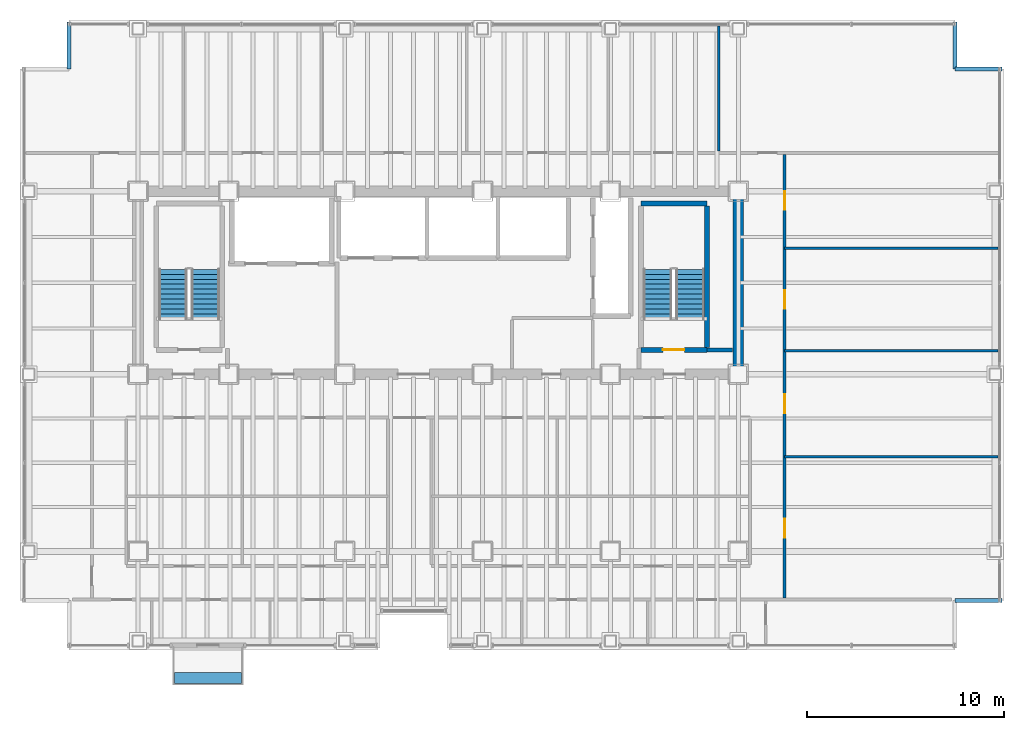
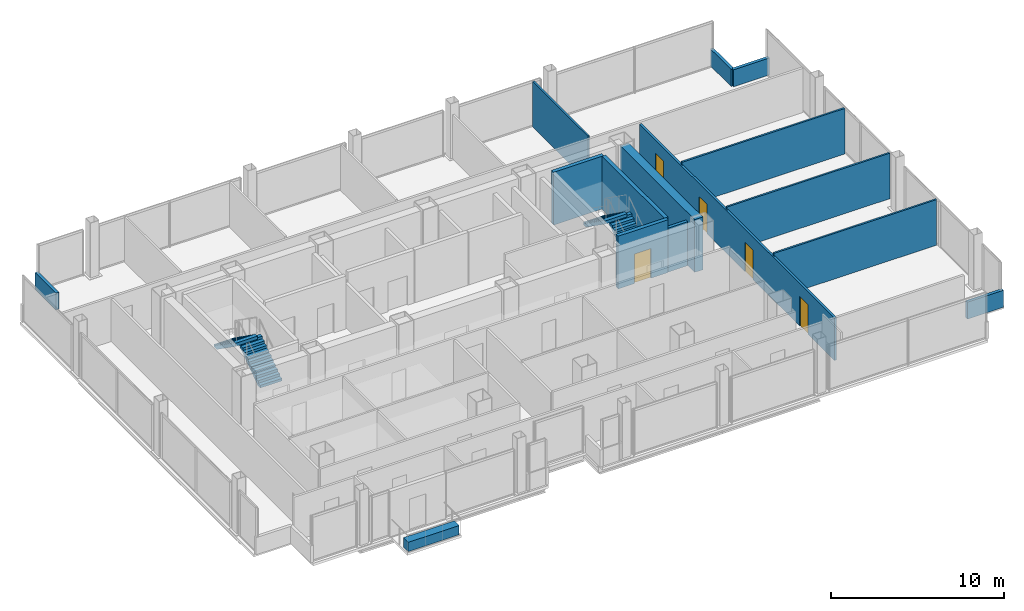
# One storey, part 19 of 20: 14 walls, 5 doors, 4 stair flights, 1 discrete accessory, 5 openings, 2 elements without a shape of their own.
"""IFC4 building model written with IfcOpenShell, lengths in metres."""

from ifc_helpers import new_model, si_unit, direction, frame, frame_2d, origin, origin_2d, place, context, subcontext, project, spatial, polyline, rectangle, outline, extrude, material, layer, layer_set, type_object, element, fill, aggregate, save


model = new_model("IFC4")

# Units and contexts
model_context = context("Model", 3, precision=1e-05, world=origin(), true_north=direction((0.0, 1.0)))
body_context = subcontext(model_context, "Body", "Model", "MODEL_VIEW")
ifc_project = project(units=[si_unit("LENGTHUNIT", "METRE"), si_unit("AREAUNIT", "SQUARE_METRE"), si_unit("VOLUMEUNIT", "CUBIC_METRE"), si_unit("PLANEANGLEUNIT", "RADIAN"), si_unit("MASSUNIT", "GRAM", prefix="KILO")], contexts=[model_context])

# Site, building, storey
site_placement = place(None, origin())
site = spatial("IfcSite", under=ifc_project, at=site_placement, CompositionType="ELEMENT")
building_placement = place(site_placement, origin())
building = spatial("IfcBuilding", under=site, at=building_placement, Name="Noeulbin Bourse Tower", CompositionType="ELEMENT")
storey_placement = place(building_placement, frame((0.0, 0.0, 73.300048828125)))
storey = spatial("IfcBuildingStorey", under=building, at=storey_placement, Name="L18", CompositionType="ELEMENT", Elevation=73.300048828125)

# Walls
ifc_material_1 = material(Name="Concrete C60/75", Category="concrete")
ifc_layer_1 = layer(ifc_material_1, 0.550048828125)
ifc_layer_set_1 = layer_set([ifc_layer_1], Name="Concrete C60/75")
wall_type_1 = type_object("IfcWallType", Name="WAL-CORE-550", PredefinedType="SHEAR", material=ifc_layer_set_1)
wall_1_placement = place(storey_placement, frame((44.0, 29.35009765625, 0.0), z_axis=(0.0, 0.0, 1.0), x_axis=(0.0, 1.0, 0.0)))
element("IfcWall", 1, at=wall_1_placement, inside=storey, type_object=wall_type_1, Name="Rear Core East Shear Wall L18", PredefinedType="SHEAR", context=body_context, shape_type="SweptSolid", body=[
    extrude(rectangle(XDim=8.599853515625, YDim=0.550048828125, at=frame_2d((4.2998046875, 0.0))), origin(), (0.0, 0.0, 1.0), 3.719970703125),
])
ifc_material_2 = material(Name="Concrete C40/50", Category="concrete")
ifc_layer_2 = layer(ifc_material_2, 0.199951171875)
ifc_layer_set_2 = layer_set([ifc_layer_2], Name="Concrete C40/50")
wall_type_2 = type_object("IfcWallType", Name="WAL-FIRE-200", PredefinedType="STANDARD", material=ifc_layer_set_2)
wall_2_placement = place(storey_placement, frame((42.39990234375, 30.239990234375, 0.0), z_axis=(0.0, 0.0, 1.0), x_axis=(1.0, 0.0, 0.0)))
element("IfcWall", 2, at=wall_2_placement, inside=storey, type_object=wall_type_2, Name="Interior Partition Wall L18-01", PredefinedType="STANDARD", context=body_context, shape_type="SweptSolid", body=[
    extrude(rectangle(XDim=1.315185546875, YDim=0.199951171875, at=frame_2d((0.65771484375, 0.0))), origin(), (0.0, 0.0, 1.0), 3.099853515625),
])
ifc_layer_3 = layer(ifc_material_2, 0.199951171875)
ifc_layer_set_3 = layer_set([ifc_layer_3], Name="Concrete C40/50")
wall_type_3 = type_object("IfcWallType", Name="WAL-PAR-200", PredefinedType="PARAPET", material=ifc_layer_set_3)
for number, where, z_axis, x_axis, name in (
    (3, (55.0, 17.5, 0.0), (0.0, 0.0, 1.0), (1.0, 0.0, 0.0), "Corner Notch Parapet L18-SE2"),
    (4, (10.0, 44.5, 0.0), (0.0, 0.0, 1.0), (0.0, 1.0, 0.0), "Corner Notch Parapet L18-NW2"),
    (5, (55.0, 46.89990234375, 0.0), (0.0, 0.0, 1.0), (0.0, -1.0, 0.0), "Corner Notch Parapet L18-NE1"),
    (6, (55.0, 44.5, 0.0), (0.0, 0.0, 1.0), (1.0, 0.0, 0.0), "Corner Notch Parapet L18-NE2"),
):
    element("IfcWall", number, at=place(storey_placement, frame(where, z_axis=z_axis, x_axis=x_axis)), inside=storey, type_object=wall_type_3, Name=name, PredefinedType="PARAPET", context=body_context, shape_type="SweptSolid", body=[
        extrude(rectangle(XDim=2.39990234375, YDim=0.199951171875, at=frame_2d((1.199951171875, 0.0))), origin(), (0.0, 0.0, 1.0), 1.199951171875),
    ])
ifc_material_3 = material(Name="Steel Stud Gypsum Partition", Category="steel")
ifc_layer_4 = layer(ifc_material_3, 0.1201171875)
ifc_layer_set_4 = layer_set([ifc_layer_4], Name="Steel Stud Gypsum Partition")
wall_type_4 = type_object("IfcWallType", Name="WAL-PRT-120", PredefinedType="PARTITIONING", material=ifc_layer_set_4)
for number, where, z_axis, x_axis, name in (
    (7, (46.35009765625, 24.800048828125, 0.0), (0.0, 0.0, 1.0), (1.0, 0.0, 0.0), "Interior Partition Wall L18-11"),
    (8, (46.35009765625, 30.199951171875, 0.0), (0.0, 0.0, 1.0), (1.0, 0.0, 0.0), "Interior Partition Wall L18-12"),
    (9, (46.35009765625, 35.39990234375, 0.0), (0.0, 0.0, 1.0), (1.0, 0.0, 0.0), "Interior Partition Wall L18-13"),
):
    element("IfcWall", number, at=place(storey_placement, frame(where, z_axis=z_axis, x_axis=x_axis)), inside=storey, type_object=wall_type_4, Name=name, PredefinedType="PARTITIONING", context=body_context, shape_type="SweptSolid", body=[
        extrude(rectangle(XDim=10.83984375, YDim=0.1201171875, at=frame_2d((5.419921875, 0.0))), origin(), (0.0, 0.0, 1.0), 3.2119140625),
    ])
wall_3_placement = place(storey_placement, frame((43.0, 40.3349609375, 0.0), z_axis=(0.0, 0.0, 1.0), x_axis=(0.0, 1.0, 0.0)))
element("IfcWall", 10, at=wall_3_placement, inside=storey, type_object=wall_type_4, Name="Interior Partition Wall L18-37", PredefinedType="PARTITIONING", context=body_context, shape_type="SweptSolid", body=[
    extrude(rectangle(XDim=6.35498046875, YDim=0.1201171875, at=frame_2d((3.177490234375, 0.0))), origin(), (0.0, 0.0, 1.0), 3.2119140625),
])

# Wall, openings, doors
ifc_material_4 = material(Name="Steel Stud Acoustic Gypsum Board", Category="steel")
ifc_layer_5 = layer(ifc_material_4, 0.14990234375)
ifc_layer_set_5 = layer_set([ifc_layer_5], Name="Steel Stud Acoustic Gypsum Board")
wall_type_5 = type_object("IfcWallType", Name="WAL-PRT-150", PredefinedType="PARTITIONING", material=ifc_layer_set_5)
wall_4_placement = place(storey_placement, frame((46.35009765625, 17.635009765625, 0.0), z_axis=(0.0, 0.0, 1.0), x_axis=(0.0, 1.0, 0.0)))
wall_4 = element("IfcWall", 11, at=wall_4_placement, inside=storey, type_object=wall_type_5, Name="Interior Partition Wall L18-24", PredefinedType="PARTITIONING", context=body_context, shape_type="SweptSolid", body=[
    extrude(rectangle(XDim=22.530029296875, YDim=0.14990234375, at=frame_2d((11.26513671875, 0.0))), origin(), (0.0, 0.0, 1.0), 3.0),
])
opening_1_placement = place(wall_4_placement, frame((3.06494140625, 0.0, 0.0)))
opening_1 = element("IfcOpeningElement", 12, at=opening_1_placement, cuts=wall_4, Name="Opening ID-09", PredefinedType="OPENING", context=body_context, shape_type="SweptSolid", body=[
    extrude(rectangle(XDim=0.949951171875, YDim=2.080078125, at=frame_2d((0.47509765625, 1.0400390625))), frame((0.0, 0.0849609375, 0.0), z_axis=(0.0, -1.0, 0.0), x_axis=(1.0, 0.0, 0.0)), (0.0, 0.0, 1.0), 0.169921875),
])
opening_2_placement = place(wall_4_placement, frame((9.389892578125, 0.0, 0.0)))
opening_2 = element("IfcOpeningElement", 13, at=opening_2_placement, cuts=wall_4, Name="Opening ID-09", PredefinedType="OPENING", context=body_context, shape_type="SweptSolid", body=[
    extrude(rectangle(XDim=0.949951171875, YDim=2.080078125, at=frame_2d((0.47509765625, 1.0400390625))), frame((0.0, 0.0849609375, 0.0), z_axis=(0.0, -1.0, 0.0), x_axis=(1.0, 0.0, 0.0)), (0.0, 0.0, 1.0), 0.169921875),
])
opening_3_placement = place(wall_4_placement, frame((14.68994140625, 0.0, 0.0)))
opening_3 = element("IfcOpeningElement", 14, at=opening_3_placement, cuts=wall_4, Name="Opening ID-09", PredefinedType="OPENING", context=body_context, shape_type="SweptSolid", body=[
    extrude(rectangle(XDim=0.949951171875, YDim=2.080078125, at=frame_2d((0.47509765625, 1.0400390625))), frame((0.0, 0.0849609375, 0.0), z_axis=(0.0, -1.0, 0.0), x_axis=(1.0, 0.0, 0.0)), (0.0, 0.0, 1.0), 0.169921875),
])
opening_4_placement = place(wall_4_placement, frame((19.715087890625, 0.0, 0.0)))
opening_4 = element("IfcOpeningElement", 15, at=opening_4_placement, cuts=wall_4, Name="Opening ID-09", PredefinedType="OPENING", context=body_context, shape_type="SweptSolid", body=[
    extrude(rectangle(XDim=0.949951171875, YDim=2.080078125, at=frame_2d((0.47509765625, 1.0400390625))), frame((0.0, 0.0849609375, 0.0), z_axis=(0.0, -1.0, 0.0), x_axis=(1.0, 0.0, 0.0)), (0.0, 0.0, 1.0), 0.169921875),
])
ifc_material_5 = material(Name="Acoustic Solid-Core Timber", Category="wood")
door_type_1 = type_object("IfcDoorType", Name="DR-SINGLE-950", OperationType="SINGLE_SWING_LEFT", PredefinedType="DOOR", material=ifc_material_5)
door_1_placement = place(opening_1_placement, origin())
door_1 = element("IfcDoor", 16, at=door_1_placement, inside=storey, type_object=door_type_1, Name="Interior Door L18-22", OperationType="SINGLE_SWING_LEFT", OverallHeight=2.080078125, OverallWidth=0.949951171875, PredefinedType="DOOR", context=body_context, shape_type="SweptSolid", body=[
    extrude(rectangle(XDim=0.949951171875, YDim=2.080078125, at=frame_2d((0.47509765625, 1.0400390625))), frame((0.0, 0.02490234375, 0.0), z_axis=(0.0, -1.0, 0.0), x_axis=(1.0, 0.0, 0.0)), (0.0, 0.0, 1.0), 0.050048828125),
])
fill(opening_1, door_1)
door_2_placement = place(opening_2_placement, origin())
door_2 = element("IfcDoor", 17, at=door_2_placement, inside=storey, type_object=door_type_1, Name="Interior Door L18-23", OperationType="SINGLE_SWING_RIGHT", OverallHeight=2.080078125, OverallWidth=0.949951171875, PredefinedType="DOOR", context=body_context, shape_type="SweptSolid", body=[
    extrude(rectangle(XDim=0.949951171875, YDim=2.080078125, at=frame_2d((0.47509765625, 1.0400390625))), frame((0.0, 0.02490234375, 0.0), z_axis=(0.0, -1.0, 0.0), x_axis=(1.0, 0.0, 0.0)), (0.0, 0.0, 1.0), 0.050048828125),
])
fill(opening_2, door_2)
door_3_placement = place(opening_3_placement, origin())
door_3 = element("IfcDoor", 18, at=door_3_placement, inside=storey, type_object=door_type_1, Name="Interior Door L18-24", OperationType="SINGLE_SWING_LEFT", OverallHeight=2.080078125, OverallWidth=0.949951171875, PredefinedType="DOOR", context=body_context, shape_type="SweptSolid", body=[
    extrude(rectangle(XDim=0.949951171875, YDim=2.080078125, at=frame_2d((0.47509765625, 1.0400390625))), frame((0.0, 0.02490234375, 0.0), z_axis=(0.0, -1.0, 0.0), x_axis=(1.0, 0.0, 0.0)), (0.0, 0.0, 1.0), 0.050048828125),
])
fill(opening_3, door_3)
door_4_placement = place(opening_4_placement, origin())
door_4 = element("IfcDoor", 19, at=door_4_placement, inside=storey, type_object=door_type_1, Name="Interior Door L18-25", OperationType="SINGLE_SWING_RIGHT", OverallHeight=2.080078125, OverallWidth=0.949951171875, PredefinedType="DOOR", context=body_context, shape_type="SweptSolid", body=[
    extrude(rectangle(XDim=0.949951171875, YDim=2.080078125, at=frame_2d((0.47509765625, 1.0400390625))), frame((0.0, 0.02490234375, 0.0), z_axis=(0.0, -1.0, 0.0), x_axis=(1.0, 0.0, 0.0)), (0.0, 0.0, 1.0), 0.050048828125),
])
fill(opening_4, door_4)

# Wall, opening, door
ifc_layer_6 = layer(ifc_material_2, 0.25)
ifc_layer_set_6 = layer_set([ifc_layer_6], Name="Concrete C40/50")
wall_type_6 = type_object("IfcWallType", Name="WAL-SHFT-250", PredefinedType="STANDARD", material=ifc_layer_set_6)
wall_5_placement = place(storey_placement, frame((39.06005859375, 30.235107421875, 0.0), z_axis=(0.0, 0.0, 1.0), x_axis=(1.0, 0.0, 0.0)))
wall_5 = element("IfcWall", 20, at=wall_5_placement, inside=storey, type_object=wall_type_6, Name="Stair ST-2 South Shaft Wall L18", PredefinedType="STANDARD", context=body_context, shape_type="SweptSolid", body=[
    extrude(rectangle(XDim=3.33984375, YDim=0.25, at=frame_2d((1.669921875, 0.0))), origin(), (0.0, 0.0, 1.0), 3.719970703125),
])
opening_5_placement = place(wall_5_placement, frame((1.10009765625, 0.0, 0.0)))
opening_5 = element("IfcOpeningElement", 21, at=opening_5_placement, cuts=wall_5, Name="Opening FD-11", PredefinedType="OPENING", context=body_context, shape_type="SweptSolid", body=[
    extrude(rectangle(XDim=1.10009765625, YDim=2.080078125, at=frame_2d((0.550048828125, 1.0400390625))), frame((0.0, 0.135009765625, 0.0), z_axis=(0.0, -1.0, 0.0), x_axis=(1.0, 0.0, 0.0)), (0.0, 0.0, 1.0), 0.27001953125),
])
ifc_material_6 = material(Name="Fire-Rated Insulated Steel", Category="steel")
door_type_2 = type_object("IfcDoorType", Name="DR-FD60-1100", OperationType="SINGLE_SWING_LEFT", PredefinedType="DOOR", material=ifc_material_6)
door_5_placement = place(opening_5_placement, origin())
door_5 = element("IfcDoor", 22, at=door_5_placement, inside=storey, type_object=door_type_2, Name="Protected Stair Entry Door ST2-L18", OperationType="SINGLE_SWING_LEFT", OverallHeight=2.080078125, OverallWidth=1.10009765625, PredefinedType="DOOR", context=body_context, shape_type="SweptSolid", body=[
    extrude(rectangle(XDim=1.10009765625, YDim=2.080078125, at=frame_2d((0.550048828125, 1.0400390625))), frame((0.0, 0.02490234375, 0.0), z_axis=(0.0, -1.0, 0.0), x_axis=(1.0, 0.0, 0.0)), (0.0, 0.0, 1.0), 0.050048828125),
])
fill(opening_5, door_5)

# Walls
wall_6_placement = place(storey_placement, frame((39.06005859375, 37.6689453125, 0.0), z_axis=(0.0, 0.0, 1.0), x_axis=(1.0, 0.0, 0.0)))
element("IfcWall", 23, at=wall_6_placement, inside=storey, type_object=wall_type_6, Name="Stair ST-2 North Shaft Wall L18", PredefinedType="STANDARD", context=body_context, shape_type="SweptSolid", body=[
    extrude(rectangle(XDim=3.33984375, YDim=0.25, at=frame_2d((1.669921875, 0.0))), origin(), (0.0, 0.0, 1.0), 3.719970703125),
])
wall_7_placement = place(storey_placement, frame((42.405029296875, 30.360107421875, 0.0), z_axis=(0.0, 0.0, 1.0), x_axis=(0.0, 1.0, 0.0)))
element("IfcWall", 24, at=wall_7_placement, inside=storey, type_object=wall_type_6, Name="Stair ST-2 East Shaft Wall L18", PredefinedType="STANDARD", context=body_context, shape_type="SweptSolid", body=[
    extrude(rectangle(XDim=7.183837890625, YDim=0.25, at=frame_2d((3.591796875, 0.0))), origin(), (0.0, 0.0, 1.0), 3.719970703125),
])

# Stair, stair flights
stair_type = type_object("IfcStairType", Name="STR-CORE-1560", PredefinedType="HALF_TURN_STAIR", material=ifc_material_2)
stair_1_placement = place(storey_placement, origin())
stair_1 = element("IfcStair", 25, at=stair_1_placement, inside=storey, type_object=stair_type, Name="L18 ST-1", PredefinedType="HALF_TURN_STAIR")
stair_flight_type = type_object("IfcStairFlightType", Name="SFL-CORE-1560", PredefinedType="STRAIGHT", material=ifc_material_2)
stair_flight_1_placement = place(storey_placement, frame((16.925048828125, 31.81005859375, 0.0), z_axis=(0.0, 0.0, 1.0), x_axis=(0.0, 1.0, 0.0)))
stair_flight_1 = element("IfcStairFlight", 26, at=stair_flight_1_placement, type_object=stair_flight_type, Name="ST-1 flight 1", NumberOfRisers=11, NumberOfTreads=10, PredefinedType="STRAIGHT", RiserHeight=0.177272727, TreadLength=0.252, context=body_context, shape_type="SweptSolid", body=[
    extrude(outline(polyline([(0.0, 0.0), (0.0, 0.17724609375), (0.251953125, 0.17724609375), (0.251953125, 0.3544921875), (0.50390625, 0.3544921875), (0.50390625, 0.53173828125), (0.756103515625, 0.53173828125), (0.756103515625, 0.708984375), (1.008056640625, 0.708984375), (1.008056640625, 0.886474609375), (1.260009765625, 0.886474609375), (1.260009765625, 1.063720703125), (1.511962890625, 1.063720703125), (1.511962890625, 1.240966796875), (1.763916015625, 1.240966796875), (1.763916015625, 1.418212890625), (2.01611328125, 1.418212890625), (2.01611328125, 1.595458984375), (2.26806640625, 1.595458984375), (2.26806640625, 1.772705078125), (2.52001953125, 1.772705078125), (2.52001953125, 1.949951171875), (2.52001953125, 1.552734375), (0.312744140625, 0.0), (0.0, 0.0)])), frame((0.0, 0.72509765625, 0.0), z_axis=(0.0, -1.0, 0.0), x_axis=(1.0, 0.0, 0.0)), (0.0, 0.0, 1.0), 1.449951171875),
])
stair_flight_2_placement = place(storey_placement, frame((15.27490234375, 34.330078125, 1.949951171875), z_axis=(0.0, 0.0, 1.0), x_axis=(0.0, -1.0, 0.0)))
stair_flight_2 = element("IfcStairFlight", 27, at=stair_flight_2_placement, type_object=stair_flight_type, Name="ST-1 flight 2", NumberOfRisers=11, NumberOfTreads=10, PredefinedType="STRAIGHT", RiserHeight=0.177272727, TreadLength=0.252, context=body_context, shape_type="SweptSolid", body=[
    extrude(outline(polyline([(0.0, 0.0), (0.0, 0.17724609375), (0.251953125, 0.17724609375), (0.251953125, 0.3544921875), (0.50390625, 0.3544921875), (0.50390625, 0.53173828125), (0.756103515625, 0.53173828125), (0.756103515625, 0.708984375), (1.008056640625, 0.708984375), (1.008056640625, 0.886474609375), (1.260009765625, 0.886474609375), (1.260009765625, 1.063720703125), (1.511962890625, 1.063720703125), (1.511962890625, 1.240966796875), (1.763916015625, 1.240966796875), (1.763916015625, 1.418212890625), (2.01611328125, 1.418212890625), (2.01611328125, 1.595458984375), (2.26806640625, 1.595458984375), (2.26806640625, 1.772705078125), (2.52001953125, 1.772705078125), (2.52001953125, 1.949951171875), (2.52001953125, 1.552734375), (0.312744140625, 0.0), (0.0, 0.0)])), frame((0.0, 0.72509765625, 0.0), z_axis=(0.0, -1.0, 0.0), x_axis=(1.0, 0.0, 0.0)), (0.0, 0.0, 1.0), 1.449951171875),
])
aggregate(stair_1, [stair_flight_1, stair_flight_2])

stair_2_placement = place(storey_placement, origin())
stair_2 = element("IfcStair", 28, at=stair_2_placement, inside=storey, type_object=stair_type, Name="L18 ST-2", PredefinedType="HALF_TURN_STAIR")
stair_flight_3_placement = place(storey_placement, frame((41.554931640625, 31.81005859375, 0.0), z_axis=(0.0, 0.0, 1.0), x_axis=(0.0, 1.0, 0.0)))
stair_flight_3 = element("IfcStairFlight", 29, at=stair_flight_3_placement, type_object=stair_flight_type, Name="ST-2 flight 1", NumberOfRisers=11, NumberOfTreads=10, PredefinedType="STRAIGHT", RiserHeight=0.177272727, TreadLength=0.252, context=body_context, shape_type="SweptSolid", body=[
    extrude(outline(polyline([(0.0, 0.0), (0.0, 0.17724609375), (0.251953125, 0.17724609375), (0.251953125, 0.3544921875), (0.50390625, 0.3544921875), (0.50390625, 0.53173828125), (0.756103515625, 0.53173828125), (0.756103515625, 0.708984375), (1.008056640625, 0.708984375), (1.008056640625, 0.886474609375), (1.260009765625, 0.886474609375), (1.260009765625, 1.063720703125), (1.511962890625, 1.063720703125), (1.511962890625, 1.240966796875), (1.763916015625, 1.240966796875), (1.763916015625, 1.418212890625), (2.01611328125, 1.418212890625), (2.01611328125, 1.595458984375), (2.26806640625, 1.595458984375), (2.26806640625, 1.772705078125), (2.52001953125, 1.772705078125), (2.52001953125, 1.949951171875), (2.52001953125, 1.552734375), (0.312744140625, 0.0), (0.0, 0.0)])), frame((0.0, 0.72509765625, 0.0), z_axis=(0.0, -1.0, 0.0), x_axis=(1.0, 0.0, 0.0)), (0.0, 0.0, 1.0), 1.449951171875),
])
stair_flight_4_placement = place(storey_placement, frame((39.905029296875, 34.330078125, 1.949951171875), z_axis=(0.0, 0.0, 1.0), x_axis=(0.0, -1.0, 0.0)))
stair_flight_4 = element("IfcStairFlight", 30, at=stair_flight_4_placement, type_object=stair_flight_type, Name="ST-2 flight 2", NumberOfRisers=11, NumberOfTreads=10, PredefinedType="STRAIGHT", RiserHeight=0.177272727, TreadLength=0.252, context=body_context, shape_type="SweptSolid", body=[
    extrude(outline(polyline([(0.0, 0.0), (0.0, 0.17724609375), (0.251953125, 0.17724609375), (0.251953125, 0.3544921875), (0.50390625, 0.3544921875), (0.50390625, 0.53173828125), (0.756103515625, 0.53173828125), (0.756103515625, 0.708984375), (1.008056640625, 0.708984375), (1.008056640625, 0.886474609375), (1.260009765625, 0.886474609375), (1.260009765625, 1.063720703125), (1.511962890625, 1.063720703125), (1.511962890625, 1.240966796875), (1.763916015625, 1.240966796875), (1.763916015625, 1.418212890625), (2.01611328125, 1.418212890625), (2.01611328125, 1.595458984375), (2.26806640625, 1.595458984375), (2.26806640625, 1.772705078125), (2.52001953125, 1.772705078125), (2.52001953125, 1.949951171875), (2.52001953125, 1.552734375), (0.312744140625, 0.0), (0.0, 0.0)])), frame((0.0, 0.72509765625, 0.0), z_axis=(0.0, -1.0, 0.0), x_axis=(1.0, 0.0, 0.0)), (0.0, 0.0, 1.0), 1.449951171875),
])
aggregate(stair_2, [stair_flight_3, stair_flight_4])

# Discrete accessory
ifc_material_7 = material(Name="Architectural GFRC Concrete C40/50", Category="concrete")
ifc_layer_7 = layer(ifc_material_7, 0.64990234375)
ifc_layer_set_7 = layer_set([ifc_layer_7], Name="Architectural GFRC Concrete C40/50")
discrete_accessory_type = type_object("IfcDiscreteAccessoryType", Name="PLANTER-BOX-3600", PredefinedType="USERDEFINED", material=ifc_layer_set_7)
discrete_accessory_placement = place(storey_placement, frame((17.050048828125, 13.56005859375, 0.0), z_axis=(0.0, 0.0, 1.0), x_axis=(1.0, 0.0, 0.0)))
element("IfcDiscreteAccessory", 31, at=discrete_accessory_placement, inside=storey, type_object=discrete_accessory_type, Name="Integrated Balcony Tree Planter Box L18", ObjectType="PLANTER", PredefinedType="USERDEFINED", context=body_context, shape_type="SweptSolid", body=[
    extrude(rectangle(XDim=3.39990234375, YDim=0.550048828125, at=origin_2d()), origin(), (0.0, 0.0, 1.0), 0.64990234375),
])

save(model, "model.ifc")
